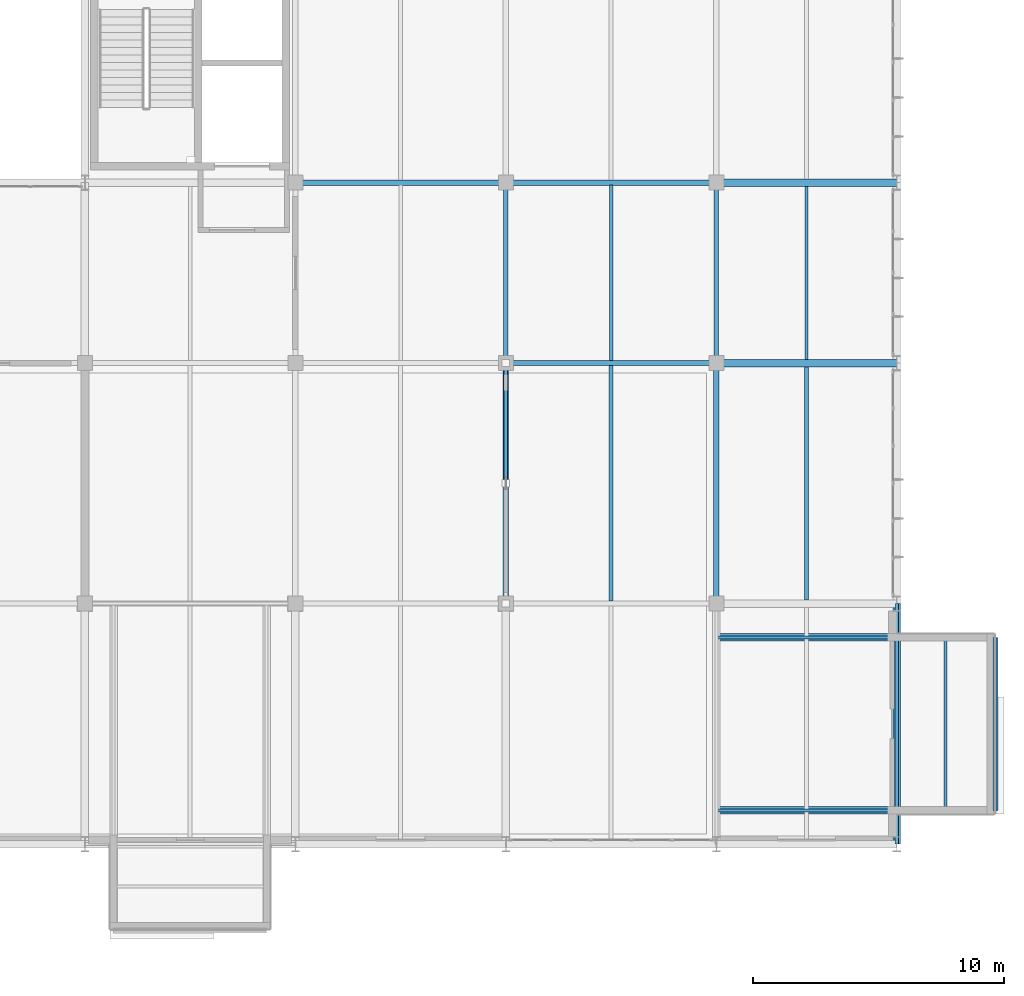
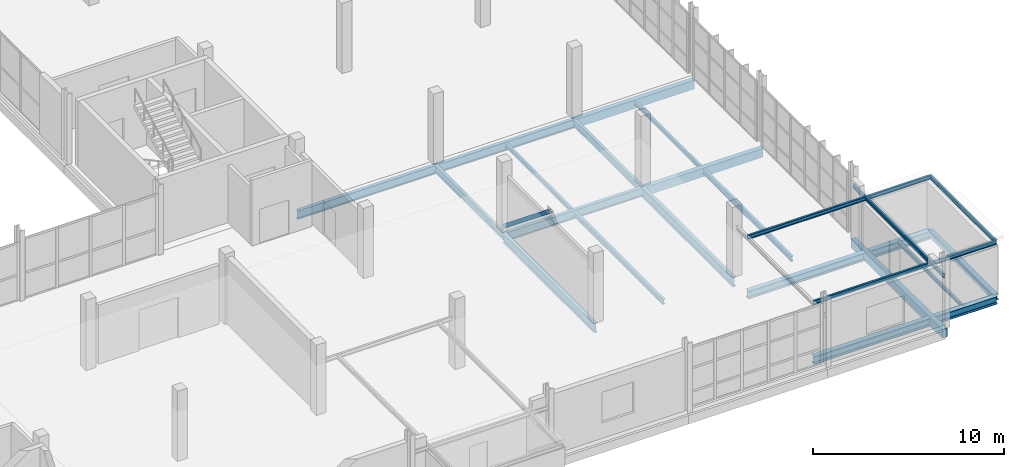
# One storey, part 84 of 130: 22 beams, 1 member.
"""IFC4 building model written with IfcOpenShell, lengths in metres."""

from ifc_helpers import new_model, si_unit, direction, frame, origin, origin_2d, place, context, subcontext, project, spatial, rectangle, hollow_rectangle, i_section, extrude, material, material_profile, profile_set, type_object, element, save


model = new_model("IFC4")

# Units and contexts
model_context = context("Model", 3, precision=1e-05, world=origin(), true_north=direction((0.0, 1.0)))
body_context = subcontext(model_context, "Body", "Model", "MODEL_VIEW")
ifc_project = project(units=[si_unit("LENGTHUNIT", "METRE"), si_unit("AREAUNIT", "SQUARE_METRE"), si_unit("VOLUMEUNIT", "CUBIC_METRE"), si_unit("PLANEANGLEUNIT", "RADIAN"), si_unit("MASSUNIT", "GRAM", prefix="KILO")], contexts=[model_context])

# Site, building, storey
site_placement = place(None, origin())
site = spatial("IfcSite", under=ifc_project, at=site_placement, CompositionType="ELEMENT")
building_placement = place(site_placement, origin())
building = spatial("IfcBuilding", under=site, at=building_placement, Name="Veltarok Museum of Natural Sciences", CompositionType="ELEMENT")
storey_placement = place(building_placement, frame((0.0, 0.0, 12.89990234375)))
storey = spatial("IfcBuildingStorey", under=building, at=storey_placement, Name="L02", CompositionType="ELEMENT", Elevation=12.89990234375)

# Beams
ifc_material_1 = material(Name="Steel S355J2", Category="steel")
ifc_material_profile_1 = material_profile(ifc_material_1, i_section(OverallWidth=0.2099609375, OverallDepth=0.550048828125, WebThickness=0.010986328125, FlangeThickness=0.01708984375, FilletRadius=0.02392578125, at=origin_2d()), Name="IPE 550")
ifc_profile_set_1 = profile_set([ifc_material_profile_1], Name="Steel S355J2")
beam_type_1 = type_object("IfcBeamType", Name="Archive Heavy Girder IPE 550", PredefinedType="BEAM", material=ifc_profile_set_1)
beam_1_placement = place(storey_placement, frame((149.199951171875, 19.199951171875, -0.52490234375), z_axis=(1.0, 0.0, 0.0), x_axis=(0.0, 1.0, 0.0)))
element("IfcBeam", 1, at=beam_1_placement, inside=storey, type_object=beam_type_1, Name="Beam BM-G03 L02 18-19/C", PredefinedType="BEAM", context=body_context, shape_type="SweptSolid", body=[
    extrude(i_section(OverallWidth=0.2099609375, OverallDepth=0.550048828125, WebThickness=0.010986328125, FlangeThickness=0.01708984375, FilletRadius=0.02392578125, at=origin_2d()), origin(), (0.0, 0.0, 1.0), 8.400146484375),
])
beam_2_placement = place(storey_placement, frame((140.800048828125, 26.39990234375, -0.52490234375), z_axis=(1.0, 0.0, 0.0), x_axis=(0.0, 1.0, 0.0)))
element("IfcBeam", 2, at=beam_2_placement, inside=storey, type_object=beam_type_1, Name="Beam BM-G03 L02 17-18/D", PredefinedType="BEAM", context=body_context, shape_type="SweptSolid", body=[
    extrude(i_section(OverallWidth=0.2099609375, OverallDepth=0.550048828125, WebThickness=0.010986328125, FlangeThickness=0.01708984375, FilletRadius=0.02392578125, at=origin_2d()), origin(), (0.0, 0.0, 1.0), 8.39990234375),
])
beam_3_placement = place(storey_placement, frame((149.199951171875, 26.39990234375, -0.52490234375), z_axis=(1.0, 0.0, 0.0), x_axis=(0.0, 1.0, 0.0)))
element("IfcBeam", 3, at=beam_3_placement, inside=storey, type_object=beam_type_1, Name="Beam BM-G03 L02 18-19/D", PredefinedType="BEAM", context=body_context, shape_type="SweptSolid", body=[
    extrude(i_section(OverallWidth=0.2099609375, OverallDepth=0.550048828125, WebThickness=0.010986328125, FlangeThickness=0.01708984375, FilletRadius=0.02392578125, at=origin_2d()), origin(), (0.0, 0.0, 1.0), 8.400146484375),
])
ifc_material_profile_2 = material_profile(ifc_material_1, i_section(OverallWidth=0.300048828125, OverallDepth=0.5, WebThickness=0.014404296875, FlangeThickness=0.028076171875, FilletRadius=0.027099609375, at=origin_2d()), Name="HEB 500")
ifc_profile_set_2 = profile_set([ifc_material_profile_2], Name="Steel S355J2")
beam_type_2 = type_object("IfcBeamType", Name="Cabinet Box Cantilever Girder HEB 500", PredefinedType="BEAM", material=ifc_profile_set_2)
for number, where, z_axis, x_axis, name in (
    (4, (157.60009765625, 1.35009765625, -0.5), (1.0, 0.0, 0.0), (0.0, 1.0, 0.0), "Cabinet Cantilever Girder DB-31-1"),
    (5, (157.60009765625, 8.25, -0.5), (1.0, 0.0, 0.0), (0.0, 1.0, 0.0), "Cabinet Cantilever Girder DB-31-2"),
):
    element("IfcBeam", number, at=place(storey_placement, frame(where, z_axis=z_axis, x_axis=x_axis)), inside=storey, type_object=beam_type_2, Name=name, PredefinedType="BEAM", context=body_context, shape_type="SweptSolid", body=[
        extrude(i_section(OverallWidth=0.300048828125, OverallDepth=0.5, WebThickness=0.014404296875, FlangeThickness=0.028076171875, FilletRadius=0.027099609375, at=origin_2d()), origin(), (0.0, 0.0, 1.0), 11.099853515625),
    ])
ifc_material_profile_3 = material_profile(ifc_material_1, i_section(OverallWidth=0.1201171875, OverallDepth=0.239990234375, WebThickness=0.006103515625, FlangeThickness=0.009765625, FilletRadius=0.014892578125, at=origin_2d()), Name="IPE 240")
ifc_profile_set_3 = profile_set([ifc_material_profile_3], Name="Steel S355J2")
beam_type_3 = type_object("IfcBeamType", Name="Cabinet Box Secondary Joist IPE 240", PredefinedType="JOIST", material=ifc_profile_set_3)
for number, where, z_axis, x_axis, name in (
    (6, (157.60009765625, 1.35009765625, 3.130126953125), (1.0, 0.0, 0.0), (0.0, 1.0, 0.0), "Cabinet Roof Rafter DB-31-1"),
    (7, (157.60009765625, 8.25, 3.130126953125), (1.0, 0.0, 0.0), (0.0, 1.0, 0.0), "Cabinet Roof Rafter DB-31-2"),
):
    element("IfcBeam", number, at=place(storey_placement, frame(where, z_axis=z_axis, x_axis=x_axis)), inside=storey, type_object=beam_type_3, Name=name, PredefinedType="JOIST", context=body_context, shape_type="SweptSolid", body=[
        extrude(i_section(OverallWidth=0.1201171875, OverallDepth=0.239990234375, WebThickness=0.006103515625, FlangeThickness=0.009765625, FilletRadius=0.014892578125, at=origin_2d()), origin(), (0.0, 0.0, 1.0), 11.099853515625),
    ])
beam_4_placement = place(storey_placement, frame((164.800048828125, 0.0, 3.130126953125), z_axis=(0.0, 1.0, 0.0), x_axis=(-1.0, 0.0, 0.0)))
element("IfcBeam", 8, at=beam_4_placement, inside=storey, type_object=beam_type_3, Name="Cabinet Roof Tie Beam DB-31-P", PredefinedType="JOIST", context=body_context, shape_type="SweptSolid", body=[
    extrude(i_section(OverallWidth=0.1201171875, OverallDepth=0.239990234375, WebThickness=0.006103515625, FlangeThickness=0.009765625, FilletRadius=0.014892578125, at=origin_2d()), origin(), (0.0, 0.0, 1.0), 9.60009765625),
])
for number, where, z_axis, x_axis, name in (
    (9, (168.699951171875, 1.35009765625, 3.130126953125), (0.0, 1.0, 0.0), (-1.0, 0.0, 0.0), "Cabinet Roof Tip Header DB-31"),
    (10, (166.75, 1.35009765625, -0.369873046875), (0.0, 1.0, 0.0), (-1.0, 0.0, 0.0), "Cabinet Box Joist DB-31"),
):
    element("IfcBeam", number, at=place(storey_placement, frame(where, z_axis=z_axis, x_axis=x_axis)), inside=storey, type_object=beam_type_3, Name=name, PredefinedType="JOIST", context=body_context, shape_type="SweptSolid", body=[
        extrude(i_section(OverallWidth=0.1201171875, OverallDepth=0.239990234375, WebThickness=0.006103515625, FlangeThickness=0.009765625, FilletRadius=0.014892578125, at=origin_2d()), origin(), (0.0, 0.0, 1.0), 6.89990234375),
    ])
ifc_material_profile_4 = material_profile(ifc_material_1, i_section(OverallWidth=0.300048828125, OverallDepth=0.35009765625, WebThickness=0.010009765625, FlangeThickness=0.017578125, FilletRadius=0.027099609375, at=origin_2d()), Name="HEA 360")
ifc_profile_set_4 = profile_set([ifc_material_profile_4], Name="Steel S355J2")
beam_type_4 = type_object("IfcBeamType", Name="Cabinet Box Tip Header HEA 360", PredefinedType="BEAM", material=ifc_profile_set_4)
beam_5_placement = place(storey_placement, frame((168.699951171875, 1.35009765625, -0.4248046875), z_axis=(0.0, 1.0, 0.0), x_axis=(-1.0, 0.0, 0.0)))
element("IfcBeam", 11, at=beam_5_placement, inside=storey, type_object=beam_type_4, Name="Cabinet Tip Header DB-31", PredefinedType="BEAM", context=body_context, shape_type="SweptSolid", body=[
    extrude(i_section(OverallWidth=0.300048828125, OverallDepth=0.35009765625, WebThickness=0.010009765625, FlangeThickness=0.017578125, FilletRadius=0.027099609375, at=origin_2d()), origin(), (0.0, 0.0, 1.0), 6.89990234375),
])
ifc_material_2 = material(Name="Precast concrete C40/50", Category="concrete")
ifc_material_profile_5 = material_profile(ifc_material_2, rectangle(XDim=0.300048828125, YDim=0.550048828125, at=origin_2d()), Name="RC 300x550")
ifc_profile_set_5 = profile_set([ifc_material_profile_5], Name="Precast concrete C40/50")
beam_type_5 = type_object("IfcBeamType", Name="East Wing Precast Spandrel RC 300x550", PredefinedType="SPANDREL", material=ifc_profile_set_5)
for number, where, z_axis, x_axis, name in (
    (12, (157.60009765625, 19.199951171875, -0.52490234375), (1.0, 0.0, 0.0), (0.0, 1.0, 0.0), "Beam BM-SP02 L02 19-20/C"),
    (13, (157.60009765625, 26.39990234375, -0.52490234375), (1.0, 0.0, 0.0), (0.0, 1.0, 0.0), "Beam BM-SP02 L02 19-20/D"),
):
    element("IfcBeam", number, at=place(storey_placement, frame(where, z_axis=z_axis, x_axis=x_axis)), inside=storey, type_object=beam_type_5, Name=name, PredefinedType="SPANDREL", context=body_context, shape_type="SweptSolid", body=[
        extrude(rectangle(XDim=0.300048828125, YDim=0.550048828125, at=origin_2d()), origin(), (0.0, 0.0, 1.0), 7.199951171875),
    ])
beam_6_placement = place(storey_placement, frame((164.800048828125, 0.0, -0.52490234375), z_axis=(0.0, 1.0, 0.0), x_axis=(-1.0, 0.0, 0.0)))
element("IfcBeam", 14, at=beam_6_placement, inside=storey, type_object=beam_type_5, Name="Beam BM-SP02 L02 20/A-B", PredefinedType="SPANDREL", context=body_context, shape_type="SweptSolid", body=[
    extrude(rectangle(XDim=0.300048828125, YDim=0.550048828125, at=origin_2d()), origin(), (0.0, 0.0, 1.0), 9.60009765625),
])
ifc_material_profile_6 = material_profile(ifc_material_1, i_section(OverallWidth=0.18994140625, OverallDepth=0.449951171875, WebThickness=0.009521484375, FlangeThickness=0.0146484375, FilletRadius=0.02099609375, at=origin_2d()), Name="IPE 450")
ifc_profile_set_6 = profile_set([ifc_material_profile_6], Name="Steel S355J2")
beam_type_6 = type_object("IfcBeamType", Name="Laboratory Floor Girder IPE 450", PredefinedType="BEAM", material=ifc_profile_set_6)
for number, where, z_axis, x_axis, name in (
    (15, (149.199951171875, 19.199951171875, -0.474853515625), (0.0, 1.0, 0.0), (-1.0, 0.0, 0.0), "Beam BM-G05 L02 18/C-D"),
    (16, (157.60009765625, 19.199951171875, -0.474853515625), (0.0, 1.0, 0.0), (-1.0, 0.0, 0.0), "Beam BM-G05 L02 19/C-D"),
):
    element("IfcBeam", number, at=place(storey_placement, frame(where, z_axis=z_axis, x_axis=x_axis)), inside=storey, type_object=beam_type_6, Name=name, PredefinedType="BEAM", context=body_context, shape_type="SweptSolid", body=[
        extrude(i_section(OverallWidth=0.18994140625, OverallDepth=0.449951171875, WebThickness=0.009521484375, FlangeThickness=0.0146484375, FilletRadius=0.02099609375, at=origin_2d()), origin(), (0.0, 0.0, 1.0), 7.199951171875),
    ])
ifc_material_profile_7 = material_profile(ifc_material_1, i_section(OverallWidth=0.159912109375, OverallDepth=0.330078125, WebThickness=0.007568359375, FlangeThickness=0.011474609375, FilletRadius=0.01806640625, at=origin_2d()), Name="IPE 330")
ifc_profile_set_7 = profile_set([ifc_material_profile_7], Name="Steel S355J2")
beam_type_7 = type_object("IfcBeamType", Name="Medium-Bay Composite Joist IPE 330", PredefinedType="JOIST", material=ifc_profile_set_7)
beam_7_placement = place(storey_placement, frame((153.39990234375, 9.702880859375, -0.414794921875), z_axis=(0.0, 1.0, 0.0), x_axis=(-1.0, 0.0, 0.0)))
element("IfcBeam", 17, at=beam_7_placement, inside=storey, type_object=beam_type_7, Name="Secondary Joist BM-J02 L02 18-19/B-C.1", PredefinedType="JOIST", context=body_context, shape_type="SweptSolid", body=[
    extrude(i_section(OverallWidth=0.159912109375, OverallDepth=0.330078125, WebThickness=0.007568359375, FlangeThickness=0.011474609375, FilletRadius=0.01806640625, at=origin_2d()), origin(), (0.0, 0.0, 1.0), 9.39404296875),
])
beam_8_placement = place(storey_placement, frame((161.199951171875, 9.748046875, -0.414794921875), z_axis=(0.0, 1.0, 0.0), x_axis=(-1.0, 0.0, 0.0)))
element("IfcBeam", 18, at=beam_8_placement, inside=storey, type_object=beam_type_7, Name="Secondary Joist BM-J02 L02 19-20/B-C.1", PredefinedType="JOIST", context=body_context, shape_type="SweptSolid", body=[
    extrude(i_section(OverallWidth=0.159912109375, OverallDepth=0.330078125, WebThickness=0.007568359375, FlangeThickness=0.011474609375, FilletRadius=0.01806640625, at=origin_2d()), origin(), (0.0, 0.0, 1.0), 9.303955078125),
])

# Member
ifc_material_3 = material(Name="Oxide-red painted Steel S355J2", Category="steel")
ifc_material_profile_8 = material_profile(ifc_material_3, hollow_rectangle(XDim=0.14990234375, YDim=0.25, WallThickness=0.010009765625, at=origin_2d()), Name="RHS 250x150x10")
ifc_profile_set_8 = profile_set([ifc_material_profile_8], Name="Oxide-red painted Steel S355J2")
member_type = type_object("IfcMemberType", Name="Perimeter Frame Lateral Brace RHS 250x150x10", PredefinedType="BRACE", material=ifc_profile_set_8)
member_placement = place(storey_placement, frame((149.199951171875, 19.199951171875, 0.150146484375), z_axis=(0.0, -0.778502909612, 0.627640995893), x_axis=(1.0, 0.0, 0.0)))
element("IfcMember", 19, at=member_placement, inside=storey, type_object=member_type, Name="Chevron Lateral Brace L02 18/B-C", PredefinedType="BRACE", context=body_context, shape_type="SweptSolid", body=[
    extrude(hollow_rectangle(XDim=0.14990234375, YDim=0.25, WallThickness=0.010009765625, at=origin_2d()), origin(), (0.0, 0.0, 1.0), 6.165771484375),
])

# Beams
ifc_material_profile_9 = material_profile(ifc_material_1, i_section(OverallWidth=0.219970703125, OverallDepth=0.60009765625, WebThickness=0.011962890625, FlangeThickness=0.01904296875, FilletRadius=0.02392578125, at=origin_2d()), Name="IPE 600")
ifc_profile_set_9 = profile_set([ifc_material_profile_9], Name="Steel S355J2")
beam_type_8 = type_object("IfcBeamType", Name="Primary Museum Girder IPE 600", PredefinedType="BEAM", material=ifc_profile_set_9)
for number, where, z_axis, x_axis, name in (
    (20, (149.199951171875, 9.60009765625, -0.5498046875), (0.0, 1.0, 0.0), (-1.0, 0.0, 0.0), "Beam BM-G02 L02 18/B-C"),
    (21, (157.60009765625, 9.60009765625, -0.5498046875), (0.0, 1.0, 0.0), (-1.0, 0.0, 0.0), "Beam BM-G02 L02 19/B-C"),
):
    element("IfcBeam", number, at=place(storey_placement, frame(where, z_axis=z_axis, x_axis=x_axis)), inside=storey, type_object=beam_type_8, Name=name, PredefinedType="BEAM", context=body_context, shape_type="SweptSolid", body=[
        extrude(i_section(OverallWidth=0.219970703125, OverallDepth=0.60009765625, WebThickness=0.011962890625, FlangeThickness=0.01904296875, FilletRadius=0.02392578125, at=origin_2d()), origin(), (0.0, 0.0, 1.0), 9.599853515625),
    ])
ifc_material_profile_10 = material_profile(ifc_material_1, i_section(OverallWidth=0.135009765625, OverallDepth=0.27001953125, WebThickness=0.006591796875, FlangeThickness=0.01025390625, FilletRadius=0.014892578125, at=origin_2d()), Name="IPE 270")
ifc_profile_set_10 = profile_set([ifc_material_profile_10], Name="Steel S355J2")
beam_type_9 = type_object("IfcBeamType", Name="Short-Bay Composite Joist IPE 270", PredefinedType="JOIST", material=ifc_profile_set_10)
beam_9_placement = place(storey_placement, frame((153.39990234375, 19.302978515625, -0.385009765625), z_axis=(0.0, 1.0, 0.0), x_axis=(-1.0, 0.0, 0.0)))
element("IfcBeam", 22, at=beam_9_placement, inside=storey, type_object=beam_type_9, Name="Secondary Joist BM-J04 L02 18-19/C-D.1", PredefinedType="JOIST", context=body_context, shape_type="SweptSolid", body=[
    extrude(i_section(OverallWidth=0.135009765625, OverallDepth=0.27001953125, WebThickness=0.006591796875, FlangeThickness=0.01025390625, FilletRadius=0.014892578125, at=origin_2d()), origin(), (0.0, 0.0, 1.0), 6.994140625),
])
beam_10_placement = place(storey_placement, frame((161.199951171875, 19.347900390625, -0.385009765625), z_axis=(0.0, 1.0, 0.0), x_axis=(-1.0, 0.0, 0.0)))
element("IfcBeam", 23, at=beam_10_placement, inside=storey, type_object=beam_type_9, Name="Secondary Joist BM-J04 L02 19-20/C-D.1", PredefinedType="JOIST", context=body_context, shape_type="SweptSolid", body=[
    extrude(i_section(OverallWidth=0.135009765625, OverallDepth=0.27001953125, WebThickness=0.006591796875, FlangeThickness=0.01025390625, FilletRadius=0.014892578125, at=origin_2d()), origin(), (0.0, 0.0, 1.0), 6.904052734375),
])

save(model, "model.ifc")
